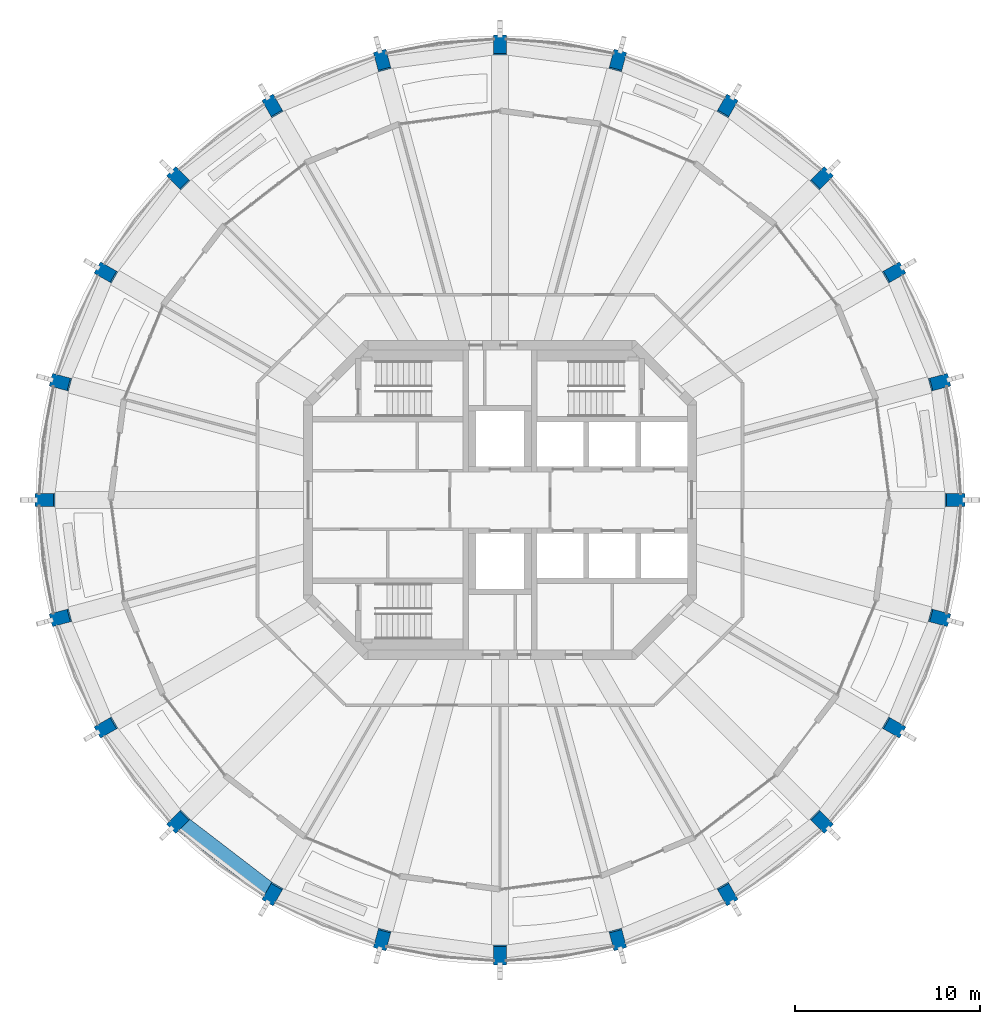
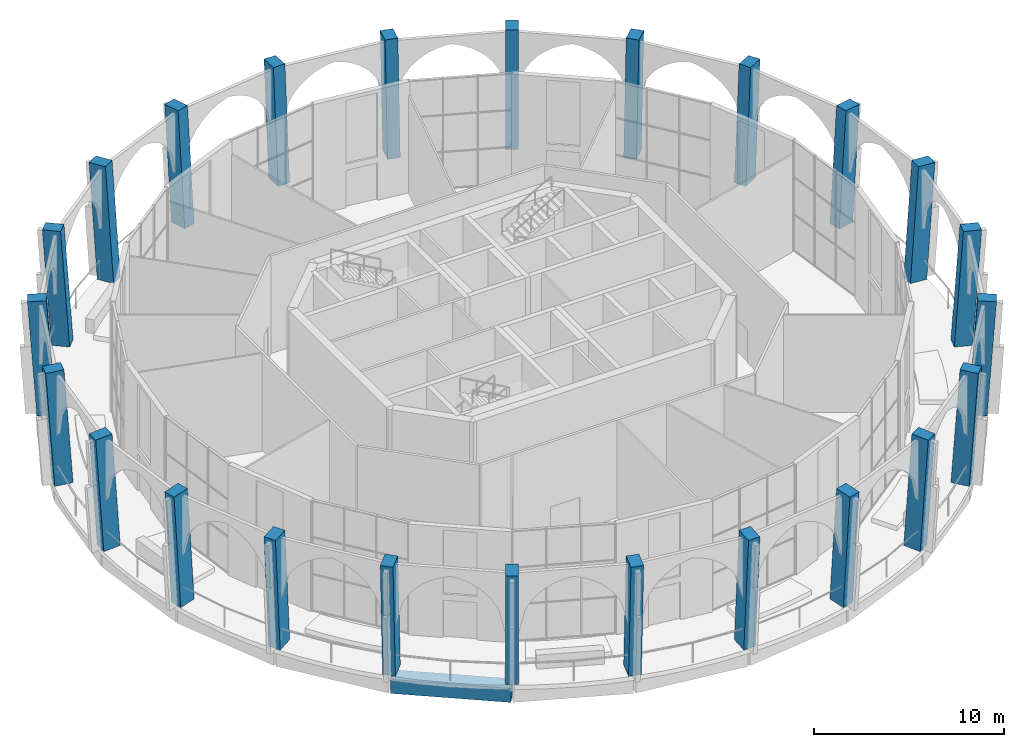
# One storey, part 1 of 17: 24 columns, 1 beam.
"""IFC4 building model written with IfcOpenShell, lengths in metres."""

from ifc_helpers import new_model, si_unit, direction, frame, origin, origin_2d, place, context, subcontext, project, spatial, rectangle, extrude, material, material_profile, profile_set, type_object, element, save


model = new_model("IFC4")

# Units and contexts
model_context = context("Model", 3, precision=1e-05, world=origin(), true_north=direction((0.0, 1.0)))
body_context = subcontext(model_context, "Body", "Model", "MODEL_VIEW")
ifc_project = project(units=[si_unit("LENGTHUNIT", "METRE"), si_unit("AREAUNIT", "SQUARE_METRE"), si_unit("VOLUMEUNIT", "CUBIC_METRE"), si_unit("PLANEANGLEUNIT", "RADIAN"), si_unit("MASSUNIT", "GRAM", prefix="KILO")], contexts=[model_context])

# Site, building, storey
site_placement = place(None, origin())
site = spatial("IfcSite", under=ifc_project, at=site_placement, CompositionType="ELEMENT")
building_placement = place(site_placement, origin())
building = spatial("IfcBuilding", under=site, at=building_placement, Name="Torre Triforio", CompositionType="ELEMENT")
storey_placement = place(building_placement, frame((0.0, 0.0, 276.0)))
storey = spatial("IfcBuildingStorey", under=building, at=storey_placement, Name="L64", CompositionType="ELEMENT", Elevation=276.0)

# Columns
ifc_material = material(Name="Concrete C40", Category="concrete")
ifc_material_profile_1 = material_profile(ifc_material, rectangle(XDim=0.699951171875, YDim=1.0, at=origin_2d()), Name="RC 700x1000")
ifc_profile_set_1 = profile_set([ifc_material_profile_1], Name="Concrete C40")
column_type = type_object("IfcColumnType", Name="Pier RC 700x1000 C40", PredefinedType="COLUMN", material=ifc_profile_set_1)
column_1_placement = place(storey_placement, frame((24.502197265625, 0.0, 0.03369140625), z_axis=(0.067436201781, 0.0, 0.99772358832), x_axis=(0.0, 1.0, 0.0)))
element("IfcColumn", 1, at=column_1_placement, inside=storey, type_object=column_type, Name="COL.R.L64.00", PredefinedType="COLUMN", context=body_context, shape_type="SweptSolid", body=[
    extrude(rectangle(XDim=0.699951171875, YDim=1.0, at=origin_2d()), origin(), (0.0, 0.0, 1.0), 7.349365234375),
])
for number, where, z_axis, x_axis, name in (
    (2, (23.66748046875, 6.341552734375, 0.03369140625), (0.065110909784, 0.017473642116, 0.997725032891), (-0.25919583564, 0.965824786795, 0.0), "COL.R.L64.01"),
    (3, (21.219482421875, 12.251220703125, 0.03369140625), (0.058400484098, 0.033684920862, 0.997724766438), (-0.4996371378, 0.866234801039, 0.0), "COL.R.L64.02"),
    (4, (17.32568359375, 17.32568359375, 0.03369140625), (0.047670482944, 0.047670482944, 0.9977249371), (-0.707106781187, 0.707106781187, 0.0), "COL.R.L64.03"),
    (5, (12.251220703125, 21.219482421875, 0.03369140625), (0.033684920862, 0.058400484098, 0.997724766438), (-0.866234801039, 0.4996371378, 0.0), "COL.R.L64.04"),
    (6, (6.341552734375, 23.66748046875, 0.03369140625), (0.017473642116, 0.065110909784, 0.997725032891), (-0.965824786795, 0.25919583564, 0.0), "COL.R.L64.05"),
):
    element("IfcColumn", number, at=place(storey_placement, frame(where, z_axis=z_axis, x_axis=x_axis)), inside=storey, type_object=column_type, Name=name, PredefinedType="COLUMN", context=body_context, shape_type="SweptSolid", body=[
        extrude(rectangle(XDim=0.699951171875, YDim=1.0, at=origin_2d()), origin(), (0.0, 0.0, 1.0), 7.34912109375),
    ])
column_2_placement = place(storey_placement, frame((0.0, 24.502197265625, 0.03369140625), z_axis=(0.0, 0.067436201781, 0.99772358832), x_axis=(-1.0, 0.0, 0.0)))
element("IfcColumn", 7, at=column_2_placement, inside=storey, type_object=column_type, Name="COL.R.L64.06", PredefinedType="COLUMN", context=body_context, shape_type="SweptSolid", body=[
    extrude(rectangle(XDim=0.699951171875, YDim=1.0, at=origin_2d()), origin(), (0.0, 0.0, 1.0), 7.349365234375),
])
for number, where, z_axis, x_axis, name in (
    (8, (-6.341552734375, 23.66748046875, 0.03369140625), (-0.017473642116, 0.065110909784, 0.997725032891), (-0.965824786795, -0.25919583564, 0.0), "COL.R.L64.07"),
    (9, (-12.251220703125, 21.219482421875, 0.03369140625), (-0.033684920862, 0.058400484098, 0.997724766438), (-0.866234801039, -0.4996371378, 0.0), "COL.R.L64.08"),
    (10, (-17.32568359375, 17.32568359375, 0.03369140625), (-0.047670482944, 0.047670482944, 0.9977249371), (-0.707106781187, -0.707106781187, 0.0), "COL.R.L64.09"),
    (11, (-21.219482421875, 12.251220703125, 0.03369140625), (-0.058400484098, 0.033684920862, 0.997724766438), (-0.4996371378, -0.866234801039, 0.0), "COL.R.L64.10"),
    (12, (-23.66748046875, 6.341552734375, 0.03369140625), (-0.065110909784, 0.017473642116, 0.997725032891), (-0.25919583564, -0.965824786795, 0.0), "COL.R.L64.11"),
):
    element("IfcColumn", number, at=place(storey_placement, frame(where, z_axis=z_axis, x_axis=x_axis)), inside=storey, type_object=column_type, Name=name, PredefinedType="COLUMN", context=body_context, shape_type="SweptSolid", body=[
        extrude(rectangle(XDim=0.699951171875, YDim=1.0, at=origin_2d()), origin(), (0.0, 0.0, 1.0), 7.34912109375),
    ])
column_3_placement = place(storey_placement, frame((-24.502197265625, 0.0, 0.03369140625), z_axis=(-0.067436201781, 0.0, 0.99772358832), x_axis=(0.0, -1.0, 0.0)))
element("IfcColumn", 13, at=column_3_placement, inside=storey, type_object=column_type, Name="COL.R.L64.12", PredefinedType="COLUMN", context=body_context, shape_type="SweptSolid", body=[
    extrude(rectangle(XDim=0.699951171875, YDim=1.0, at=origin_2d()), origin(), (0.0, 0.0, 1.0), 7.349365234375),
])
for number, where, z_axis, x_axis, name in (
    (14, (-23.66748046875, -6.341552734375, 0.03369140625), (-0.065110909784, -0.017473642116, 0.997725032891), (0.25919583564, -0.965824786795, 0.0), "COL.R.L64.13"),
    (15, (-21.219482421875, -12.251220703125, 0.03369140625), (-0.058400484098, -0.033684920862, 0.997724766438), (0.4996371378, -0.866234801039, 0.0), "COL.R.L64.14"),
    (16, (-17.32568359375, -17.32568359375, 0.03369140625), (-0.047670482944, -0.047670482944, 0.9977249371), (0.707106781187, -0.707106781187, 0.0), "COL.R.L64.15"),
    (17, (-12.251220703125, -21.219482421875, 0.03369140625), (-0.033684920862, -0.058400484098, 0.997724766438), (0.866234801039, -0.4996371378, 0.0), "COL.R.L64.16"),
    (18, (-6.341552734375, -23.66748046875, 0.03369140625), (-0.017473642116, -0.065110909784, 0.997725032891), (0.965824786795, -0.25919583564, 0.0), "COL.R.L64.17"),
):
    element("IfcColumn", number, at=place(storey_placement, frame(where, z_axis=z_axis, x_axis=x_axis)), inside=storey, type_object=column_type, Name=name, PredefinedType="COLUMN", context=body_context, shape_type="SweptSolid", body=[
        extrude(rectangle(XDim=0.699951171875, YDim=1.0, at=origin_2d()), origin(), (0.0, 0.0, 1.0), 7.34912109375),
    ])
column_4_placement = place(storey_placement, frame((0.0, -24.502197265625, 0.03369140625), z_axis=(0.0, -0.067436201781, 0.99772358832), x_axis=(1.0, 0.0, 0.0)))
element("IfcColumn", 19, at=column_4_placement, inside=storey, type_object=column_type, Name="COL.R.L64.18", PredefinedType="COLUMN", context=body_context, shape_type="SweptSolid", body=[
    extrude(rectangle(XDim=0.699951171875, YDim=1.0, at=origin_2d()), origin(), (0.0, 0.0, 1.0), 7.349365234375),
])
for number, where, z_axis, x_axis, name in (
    (20, (6.341552734375, -23.66748046875, 0.03369140625), (0.017473642116, -0.065110909784, 0.997725032891), (0.965824786795, 0.25919583564, 0.0), "COL.R.L64.19"),
    (21, (12.251220703125, -21.219482421875, 0.03369140625), (0.033684920862, -0.058400484098, 0.997724766438), (0.866234801039, 0.4996371378, 0.0), "COL.R.L64.20"),
    (22, (17.32568359375, -17.32568359375, 0.03369140625), (0.047670482944, -0.047670482944, 0.9977249371), (0.707106781187, 0.707106781187, 0.0), "COL.R.L64.21"),
    (23, (21.219482421875, -12.251220703125, 0.03369140625), (0.058400484098, -0.033684920862, 0.997724766438), (0.4996371378, 0.866234801039, 0.0), "COL.R.L64.22"),
    (24, (23.66748046875, -6.341552734375, 0.03369140625), (0.065110909784, -0.017473642116, 0.997725032891), (0.25919583564, 0.965824786795, 0.0), "COL.R.L64.23"),
):
    element("IfcColumn", number, at=place(storey_placement, frame(where, z_axis=z_axis, x_axis=x_axis)), inside=storey, type_object=column_type, Name=name, PredefinedType="COLUMN", context=body_context, shape_type="SweptSolid", body=[
        extrude(rectangle(XDim=0.699951171875, YDim=1.0, at=origin_2d()), origin(), (0.0, 0.0, 1.0), 7.34912109375),
    ])

# Beam
ifc_material_profile_2 = material_profile(ifc_material, rectangle(XDim=0.89990234375, YDim=0.89990234375, at=origin_2d()), Name="RC 900x900")
ifc_profile_set_2 = profile_set([ifc_material_profile_2], Name="Concrete C40")
beam_type = type_object("IfcBeamType", Name="Spandrel beam RC 900x900 C40", PredefinedType="SPANDREL", material=ifc_profile_set_2)
beam_placement = place(storey_placement, frame((-17.32421875, -17.32421875, -0.72998046875), z_axis=(0.79337406388, -0.60873442055, 0.0), x_axis=(0.60873442055, 0.79337406388, 0.0)))
element("IfcBeam", 25, at=beam_placement, inside=storey, type_object=beam_type, Name="BM.S.L64.15", PredefinedType="SPANDREL", context=body_context, shape_type="SweptSolid", body=[
    extrude(rectangle(XDim=0.89990234375, YDim=0.89990234375, at=origin_2d()), origin(), (0.0, 0.0, 1.0), 6.395751953125),
])

save(model, "model.ifc")
